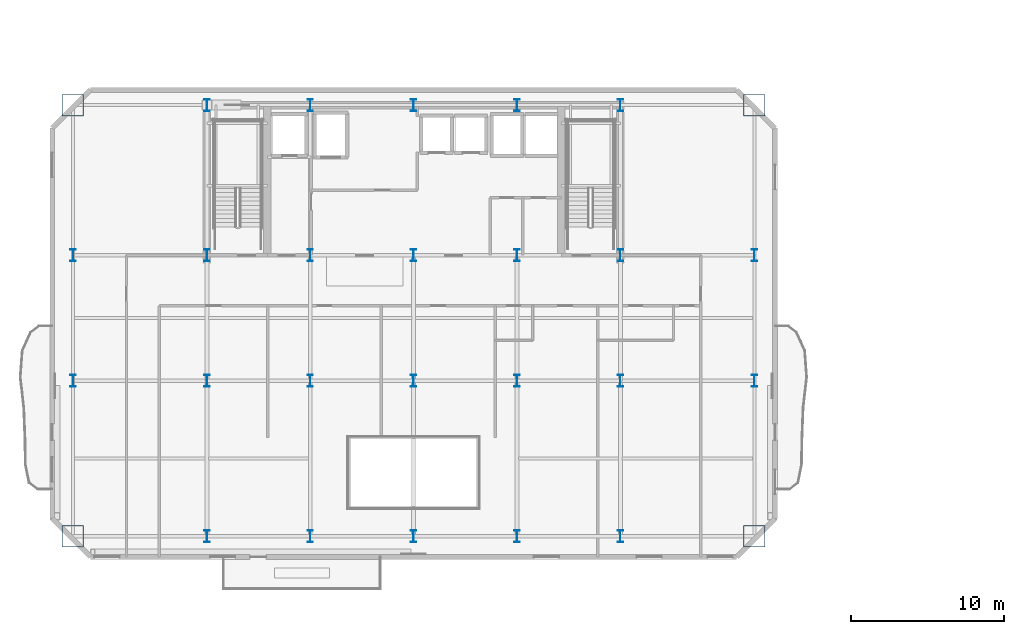
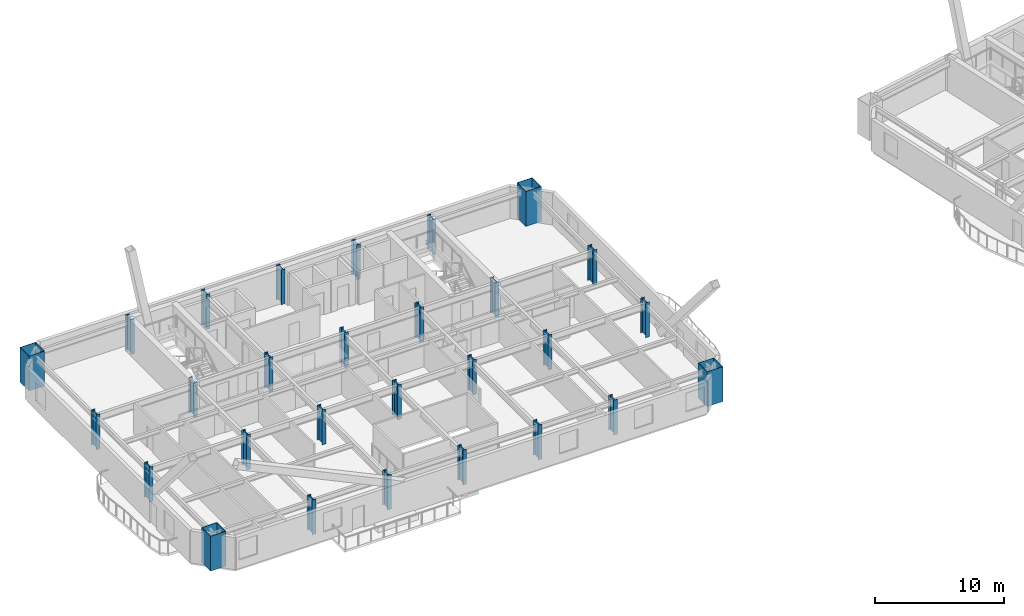
# One storey, part 1 of 15: 28 columns.
"""IFC4 building model written with IfcOpenShell, lengths in metres."""

from ifc_helpers import new_model, si_unit, direction, frame, origin, origin_2d, place, context, subcontext, project, spatial, hollow_rectangle, i_section, extrude, material, material_profile, profile_set, type_object, element, save


model = new_model("IFC4")

# Units and contexts
model_context = context("Model", 3, precision=1e-05, world=origin(), true_north=direction((0.0, 1.0)))
body_context = subcontext(model_context, "Body", "Model", "MODEL_VIEW")
ifc_project = project(units=[si_unit("LENGTHUNIT", "METRE"), si_unit("AREAUNIT", "SQUARE_METRE"), si_unit("VOLUMEUNIT", "CUBIC_METRE"), si_unit("PLANEANGLEUNIT", "RADIAN"), si_unit("MASSUNIT", "GRAM", prefix="KILO")], contexts=[model_context])

# Site, building, storey
site_placement = place(None, origin())
site = spatial("IfcSite", under=ifc_project, at=site_placement, CompositionType="ELEMENT")
building_placement = place(site_placement, origin())
building = spatial("IfcBuilding", under=site, at=building_placement, Name="Haevon Station Towers", CompositionType="ELEMENT")
storey_placement = place(building_placement, frame((0.0, 0.0, 103.199951171875)))
storey = spatial("IfcBuildingStorey", under=building, at=storey_placement, Name="L27", CompositionType="ELEMENT", Elevation=103.199951171875)

# Columns
ifc_material = material(Name="Steel S460", Category="steel")
ifc_material_profile_1 = material_profile(ifc_material, hollow_rectangle(XDim=1.39990234375, YDim=1.39990234375, WallThickness=0.035888671875, at=origin_2d()), Name="BOX-1400x1400x36")
ifc_profile_set_1 = profile_set([ifc_material_profile_1], Name="Steel S460")
column_type_1 = type_object("IfcColumnType", Name="COL-MC3", PredefinedType="COLUMN", material=ifc_profile_set_1)
for number, where, z_axis, x_axis, name in (
    (1, (15.25, 19.85009765625, 0.0), (0.0, 0.0, 1.0), (1.0, 0.0, 0.0), "COL-T1-L27-01-01"),
    (2, (15.25, 48.0, 0.0), (0.0, 0.0, 1.0), (1.0, 0.0, 0.0), "COL-T1-L27-01-04"),
    (3, (59.75, 19.85009765625, 0.0), (0.0, 0.0, 1.0), (1.0, 0.0, 0.0), "COL-T1-L27-07-01"),
    (4, (59.75, 48.0, 0.0), (0.0, 0.0, 1.0), (1.0, 0.0, 0.0), "COL-T1-L27-07-04"),
):
    element("IfcColumn", number, at=place(storey_placement, frame(where, z_axis=z_axis, x_axis=x_axis)), inside=storey, type_object=column_type_1, Name=name, PredefinedType="COLUMN", context=body_context, shape_type="SweptSolid", body=[
        extrude(hollow_rectangle(XDim=1.39990234375, YDim=1.39990234375, WallThickness=0.035888671875, at=origin_2d()), origin(), (0.0, 0.0, 1.0), 3.300048828125),
    ])
ifc_material_profile_2 = material_profile(ifc_material, i_section(OverallWidth=0.35009765625, OverallDepth=0.800048828125, WebThickness=0.01806640625, FlangeThickness=0.031982421875, at=origin_2d()), Name="H-800x350x18x32")
ifc_profile_set_2 = profile_set([ifc_material_profile_2], Name="Steel S460")
column_type_2 = type_object("IfcColumnType", Name="COL-TW2", PredefinedType="COLUMN", material=ifc_profile_set_2)
for number, where, z_axis, x_axis, name in (
    (5, (15.25, 30.0, 0.0), (0.0, 0.0, 1.0), (1.0, 0.0, 0.0), "COL-T1-L27-01-02"),
    (6, (15.25, 38.199951171875, 0.0), (0.0, 0.0, 1.0), (1.0, 0.0, 0.0), "COL-T1-L27-01-03"),
    (7, (24.0, 19.85009765625, 0.0), (0.0, 0.0, 1.0), (1.0, 0.0, 0.0), "COL-T1-L27-02-01"),
    (8, (24.0, 30.0, 0.0), (0.0, 0.0, 1.0), (1.0, 0.0, 0.0), "COL-T1-L27-02-02"),
    (9, (24.0, 38.199951171875, 0.0), (0.0, 0.0, 1.0), (1.0, 0.0, 0.0), "COL-T1-L27-02-03"),
    (10, (24.0, 48.0, 0.0), (0.0, 0.0, 1.0), (1.0, 0.0, 0.0), "COL-T1-L27-02-04"),
    (11, (30.75, 19.85009765625, 0.0), (0.0, 0.0, 1.0), (1.0, 0.0, 0.0), "COL-T1-L27-03-01"),
    (12, (30.75, 30.0, 0.0), (0.0, 0.0, 1.0), (1.0, 0.0, 0.0), "COL-T1-L27-03-02"),
    (13, (30.75, 38.199951171875, 0.0), (0.0, 0.0, 1.0), (1.0, 0.0, 0.0), "COL-T1-L27-03-03"),
    (14, (30.75, 48.0, 0.0), (0.0, 0.0, 1.0), (1.0, 0.0, 0.0), "COL-T1-L27-03-04"),
    (15, (37.5, 19.85009765625, 0.0), (0.0, 0.0, 1.0), (1.0, 0.0, 0.0), "COL-T1-L27-04-01"),
    (16, (37.5, 30.0, 0.0), (0.0, 0.0, 1.0), (1.0, 0.0, 0.0), "COL-T1-L27-04-02"),
    (17, (37.5, 38.199951171875, 0.0), (0.0, 0.0, 1.0), (1.0, 0.0, 0.0), "COL-T1-L27-04-03"),
    (18, (37.5, 48.0, 0.0), (0.0, 0.0, 1.0), (1.0, 0.0, 0.0), "COL-T1-L27-04-04"),
    (19, (44.25, 19.85009765625, 0.0), (0.0, 0.0, 1.0), (1.0, 0.0, 0.0), "COL-T1-L27-05-01"),
    (20, (44.25, 30.0, 0.0), (0.0, 0.0, 1.0), (1.0, 0.0, 0.0), "COL-T1-L27-05-02"),
    (21, (44.25, 38.199951171875, 0.0), (0.0, 0.0, 1.0), (1.0, 0.0, 0.0), "COL-T1-L27-05-03"),
    (22, (44.25, 48.0, 0.0), (0.0, 0.0, 1.0), (1.0, 0.0, 0.0), "COL-T1-L27-05-04"),
    (23, (51.0, 19.85009765625, 0.0), (0.0, 0.0, 1.0), (1.0, 0.0, 0.0), "COL-T1-L27-06-01"),
    (24, (51.0, 30.0, 0.0), (0.0, 0.0, 1.0), (1.0, 0.0, 0.0), "COL-T1-L27-06-02"),
    (25, (51.0, 38.199951171875, 0.0), (0.0, 0.0, 1.0), (1.0, 0.0, 0.0), "COL-T1-L27-06-03"),
    (26, (51.0, 48.0, 0.0), (0.0, 0.0, 1.0), (1.0, 0.0, 0.0), "COL-T1-L27-06-04"),
    (27, (59.75, 30.0, 0.0), (0.0, 0.0, 1.0), (1.0, 0.0, 0.0), "COL-T1-L27-07-02"),
    (28, (59.75, 38.199951171875, 0.0), (0.0, 0.0, 1.0), (1.0, 0.0, 0.0), "COL-T1-L27-07-03"),
):
    element("IfcColumn", number, at=place(storey_placement, frame(where, z_axis=z_axis, x_axis=x_axis)), inside=storey, type_object=column_type_2, Name=name, PredefinedType="COLUMN", context=body_context, shape_type="SweptSolid", body=[
        extrude(i_section(OverallWidth=0.35009765625, OverallDepth=0.800048828125, WebThickness=0.01806640625, FlangeThickness=0.031982421875, at=origin_2d()), origin(), (0.0, 0.0, 1.0), 3.300048828125),
    ])

save(model, "model.ifc")
